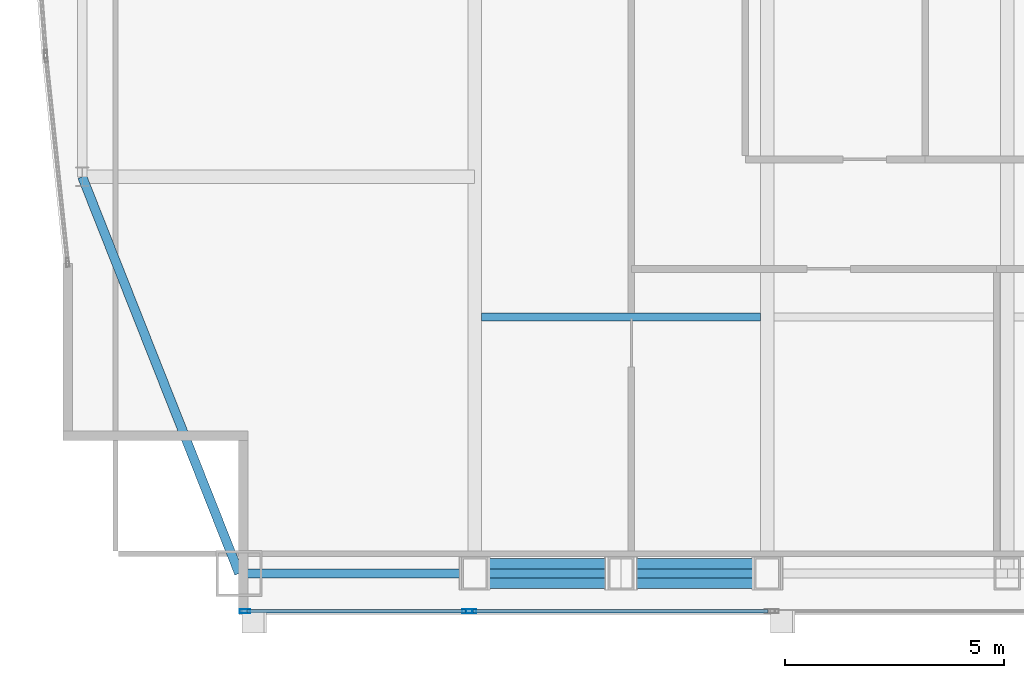
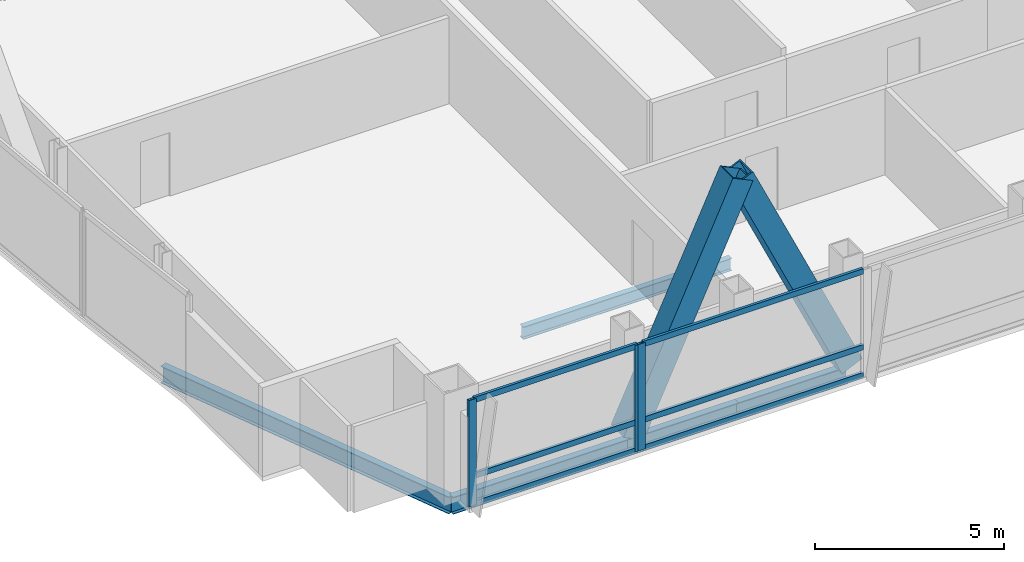
# One storey, part 5 of 30: 11 members, 5 beams, 2 elements without a shape of their own.
"""IFC4 building model written with IfcOpenShell, lengths in metres."""

import ifcopenshell
import ifcopenshell.guid

model = None  # the IFC model being written
_history = None  # IfcOwnerHistory: only IFC2X3 demands one
_inside = {}  # id of a spatial element -> (the spatial element, [elements in it])
_under = {}  # id of a project, library or spatial element -> (it, [spatial elements below it])
_declared = {}  # id of a project -> (the project, [libraries it declares])
_typed = {}  # id of a type object -> (the type object, [elements of that type])
_made_of = {}  # id of a material, layer set ... -> (it, [elements and type objects made of it])


def new_model(schema):
    """Start an empty IFC model of exactly this schema.

    Asked for "IFC4X3", IfcOpenShell would pick the latest addendum, in which some entities
    have other attributes; the version numbers below select the first issue.
    IFC2X3 requires an IfcOwnerHistory on every rooted entity: one is made here for all.
    """
    global model, _history
    if schema == "IFC4X3":
        model = ifcopenshell.file(schema_version=(4, 3, 0, 0))
    else:
        model = ifcopenshell.file(schema=schema)
    _inside.clear()
    _under.clear()
    _declared.clear()
    _typed.clear()
    _made_of.clear()
    _history = None
    if model.schema == "IFC2X3":
        org = make("IfcOrganization", Name="unknown")
        user = make(
            "IfcPersonAndOrganization",
            ThePerson=make("IfcPerson", FamilyName="unknown"),
            TheOrganization=org,
        )
        app = make(
            "IfcApplication",
            ApplicationDeveloper=org,
            Version="unknown",
            ApplicationFullName="unknown",
            ApplicationIdentifier="unknown",
        )
        _history = make(
            "IfcOwnerHistory",
            OwningUser=user,
            OwningApplication=app,
            ChangeAction="ADDED",
            CreationDate=0,
        )
    return model


def make(cls, **values):
    """One entity of the class cls with the attributes given. An attribute that is None is left unset."""
    return model.create_entity(
        cls, **{name: value for name, value in values.items() if value is not None}
    )


def rooted(cls, **values):
    """An entity with a GlobalId (a new one), such as an element, a storey or a relation."""
    return make(cls, GlobalId=ifcopenshell.guid.new(), OwnerHistory=_history, **values)


def si_unit(unit_type, name, prefix=None):
    """IfcSIUnit, for example si_unit("LENGTHUNIT", "METRE", prefix="MILLI")."""
    return make("IfcSIUnit", UnitType=unit_type, Prefix=prefix, Name=name)


def assignment(units):
    """IfcUnitAssignment: the units of a project."""
    return None if units is None else make("IfcUnitAssignment", Units=units)


def point(xyz):
    """IfcCartesianPoint."""
    return None if xyz is None else make("IfcCartesianPoint", Coordinates=xyz)


def direction(xyz):
    """IfcDirection."""
    return None if xyz is None else make("IfcDirection", DirectionRatios=xyz)


def frame(location, z_axis=None, x_axis=None):
    """IfcAxis2Placement3D, a coordinate frame: its origin and axes. An axis left out is left unset."""
    return make(
        "IfcAxis2Placement3D",
        Location=point(location),
        Axis=direction(z_axis),
        RefDirection=direction(x_axis),
    )


def frame_2d(location, x_axis=None):
    """IfcAxis2Placement2D, a coordinate frame in the plane: its origin and x axis."""
    return make(
        "IfcAxis2Placement2D", Location=point(location), RefDirection=direction(x_axis)
    )


def origin():
    """The frame at (0, 0, 0) with its axes left unset."""
    return frame((0.0, 0.0, 0.0))


def origin_2d():
    """The frame at (0, 0) in the plane with its x axis left unset."""
    return frame_2d((0.0, 0.0))


def place(relative_to, where):
    """IfcLocalPlacement: puts the frame where relative to a parent placement (None: the world)."""
    return make(
        "IfcLocalPlacement", PlacementRelTo=relative_to, RelativePlacement=where
    )


def context(
    kind, dimensions, precision=None, world=None, true_north=None, identifier=None
):
    """IfcGeometricRepresentationContext, for example the 3D "Model" context."""
    return make(
        "IfcGeometricRepresentationContext",
        ContextIdentifier=identifier,
        ContextType=kind,
        CoordinateSpaceDimension=dimensions,
        Precision=precision,
        WorldCoordinateSystem=world,
        TrueNorth=true_north,
    )


def subcontext(parent, identifier, kind, view, scale=None):
    """IfcGeometricRepresentationSubContext, for example "Body" below "Model"."""
    return make(
        "IfcGeometricRepresentationSubContext",
        ContextIdentifier=identifier,
        ContextType=kind,
        ParentContext=parent,
        TargetScale=scale,
        TargetView=view,
    )


def project(units=None, contexts=None):
    """IfcProject with its units and contexts."""
    return rooted(
        "IfcProject",
        Name="project",
        RepresentationContexts=contexts,
        UnitsInContext=assignment(units),
    )


def spatial(cls, under=None, at=None, **own):
    """A site, building, storey or space (cls), placed at a placement, below another one or the project."""
    s = rooted(cls, ObjectPlacement=at, **own)
    if under is not None:
        _under.setdefault(under.id(), (under, []))[1].append(s)
    return s


def profile(cls, at=None, kind="AREA", **sizes):
    """A parametric profile (cls). Its sizes go by their IFC names, for example OverallWidth=200.0."""
    return make(cls, ProfileType=kind, Position=at, **sizes)


def hollow_rectangle(**sizes):
    """IfcRectangleHollowProfileDef."""
    return profile("IfcRectangleHollowProfileDef", **sizes)


def i_section(**sizes):
    """IfcIShapeProfileDef."""
    return profile("IfcIShapeProfileDef", **sizes)


def extrude(swept, where, along, depth):
    """IfcExtrudedAreaSolid: the profile swept, set in the frame where, extruded along a direction by depth."""
    return make(
        "IfcExtrudedAreaSolid",
        SweptArea=swept,
        Position=where,
        ExtrudedDirection=direction(along),
        Depth=depth,
    )


def shape(context_of_items, identifier, shape_type, items):
    """IfcShapeRepresentation: the items that make up one representation, for example the "Body"."""
    return make(
        "IfcShapeRepresentation",
        ContextOfItems=context_of_items,
        RepresentationIdentifier=identifier,
        RepresentationType=shape_type,
        Items=items,
    )


def material(Name=None, Category=None):
    """IfcMaterial."""
    return make("IfcMaterial", Name=Name, Category=Category)


def material_profile(
    of_material, cross_section, Name=None, Category=None, Priority=None
):
    """IfcMaterialProfile: a cross section and its material."""
    return make(
        "IfcMaterialProfile",
        Name=Name,
        Material=of_material,
        Profile=cross_section,
        Priority=Priority,
        Category=Category,
    )


def profile_set(profiles, Name=None, composite=None):
    """IfcMaterialProfileSet."""
    return make(
        "IfcMaterialProfileSet",
        Name=Name,
        MaterialProfiles=profiles,
        CompositeProfile=composite,
    )


def made_of(thing, what):
    """Note that an element or type object is made of a material, layer set ...; save() writes the relation."""
    if what is not None:
        _made_of.setdefault(what.id(), (what, []))[1].append(thing)
    return thing


def type_object(cls, material=None, **own):
    """A type object (cls), such as IfcWallType, which elements share."""
    return made_of(rooted(cls, **own), material)


def element(
    cls,
    number,
    at=None,
    inside=None,
    cuts=None,
    type_object=None,
    material=None,
    context=None,
    identifier="Body",
    shape_type=None,
    held_by="IfcProductDefinitionShape",
    body=None,
    shapes=None,
    **own,
):
    """One element of the class cls, such as IfcWall. Its Tag is "e" and its number.

    at: its placement. inside: the storey or other place that contains it. cuts: it is an
    opening in that element (IfcRelVoidsElement). A single representation is given by context,
    identifier, shape_type and body (its items); several are given by shapes. held_by: the class
    of the entity that holds the representations. save() writes the other relations.
    """
    e = rooted(cls, Tag="e%d" % number, ObjectPlacement=at, **own)
    if body is not None:
        shapes = [shape(context, identifier, shape_type, body)]
    if shapes is not None:
        e.Representation = make(held_by, Representations=shapes)
    if inside is not None:
        _inside.setdefault(inside.id(), (inside, []))[1].append(e)
    if cuts is not None:
        rooted(
            "IfcRelVoidsElement", RelatingBuildingElement=cuts, RelatedOpeningElement=e
        )
    if type_object is not None:
        _typed.setdefault(type_object.id(), (type_object, []))[1].append(e)
    return made_of(e, material)


def aggregate(whole, parts):
    """IfcRelAggregates: a whole, such as a stair, and the parts it consists of."""
    return rooted("IfcRelAggregates", RelatingObject=whole, RelatedObjects=parts)


def save(model, path):
    """Write the relations noted so far, then the file.

    IfcRelAggregates (storeys below a building ...), IfcRelContainedInSpatialStructure (elements
    in a storey), IfcRelDefinesByType, IfcRelAssociatesMaterial and IfcRelDeclares: one each for
    every whole, place, type object, material and project.
    """
    for whole, parts in _under.values():
        aggregate(whole, parts)
    for where, things in _inside.values():
        rooted(
            "IfcRelContainedInSpatialStructure",
            RelatedElements=things,
            RelatingStructure=where,
        )
    for kind, things in _typed.values():
        rooted("IfcRelDefinesByType", RelatedObjects=things, RelatingType=kind)
    for what, things in _made_of.values():
        rooted("IfcRelAssociatesMaterial", RelatedObjects=things, RelatingMaterial=what)
    for by, libraries in _declared.values():
        rooted("IfcRelDeclares", RelatingContext=by, RelatedDefinitions=libraries)
    model.write(path)


model = new_model("IFC4")

# Units and contexts
model_context = context("Model", 3, precision=1e-05, world=origin(), true_north=direction((0.0, 1.0)))
body_context = subcontext(model_context, "Body", "Model", "MODEL_VIEW")
ifc_project = project(units=[si_unit("LENGTHUNIT", "METRE"), si_unit("AREAUNIT", "SQUARE_METRE"), si_unit("VOLUMEUNIT", "CUBIC_METRE"), si_unit("PLANEANGLEUNIT", "RADIAN"), si_unit("MASSUNIT", "GRAM", prefix="KILO")], contexts=[model_context])

# Site, building, storey
site_placement = place(None, origin())
site = spatial("IfcSite", under=ifc_project, at=site_placement, CompositionType="ELEMENT")
building_placement = place(site_placement, origin())
building = spatial("IfcBuilding", under=site, at=building_placement, Name="Khoronbel Lancet Exchange", CompositionType="ELEMENT")
storey_placement = place(building_placement, frame((0.0, 0.0, 284.199951171875)))
storey = spatial("IfcBuildingStorey", under=building, at=storey_placement, Name="L73", CompositionType="ELEMENT", Elevation=284.199951171875)

# Beams
ifc_material_1 = material(Name="Steel S355", Category="steel")
ifc_material_profile_1 = material_profile(ifc_material_1, i_section(OverallWidth=0.179931640625, OverallDepth=0.39990234375, WebThickness=0.008544921875, FlangeThickness=0.013427734375, at=origin_2d()), Name="IPE 400")
ifc_profile_set_1 = profile_set([ifc_material_profile_1], Name="Steel S355")
beam_type_1 = type_object("IfcBeamType", Name="BM-BJ5", PredefinedType="JOIST", material=ifc_profile_set_1)
beam_1_placement = place(storey_placement, frame((18.375, 16.0, -0.35986328125), z_axis=(1.0, 0.0, 0.0), x_axis=(0.0, 1.0, 0.0)))
element("IfcBeam", 1, at=beam_1_placement, inside=storey, type_object=beam_type_1, Name="Level L73 secondary composite joist J01", PredefinedType="JOIST", context=body_context, shape_type="SweptSolid", body=[
    extrude(i_section(OverallWidth=0.179931640625, OverallDepth=0.39990234375, WebThickness=0.008544921875, FlangeThickness=0.013427734375, at=origin_2d()), origin(), (0.0, 0.0, 1.0), 6.375),
])
ifc_material_profile_2 = material_profile(ifc_material_1, i_section(OverallWidth=0.2099609375, OverallDepth=0.550048828125, WebThickness=0.010986328125, FlangeThickness=0.01708984375, at=origin_2d()), Name="IPE 550")
ifc_profile_set_2 = profile_set([ifc_material_profile_2], Name="Steel S355")
beam_type_2 = type_object("IfcBeamType", Name="BM-BSP3", PredefinedType="SPANDREL", material=ifc_profile_set_2)
beam_2_placement = place(storey_placement, frame((12.85009765625, 10.14990234375, -0.43505859375), z_axis=(1.0, 0.0, 0.0), x_axis=(0.0, 1.0, 0.0)))
element("IfcBeam", 2, at=beam_2_placement, inside=storey, type_object=beam_type_2, Name="Level L73 perimeter spandrel beam SP01", PredefinedType="SPANDREL", context=body_context, shape_type="SweptSolid", body=[
    extrude(i_section(OverallWidth=0.2099609375, OverallDepth=0.550048828125, WebThickness=0.010986328125, FlangeThickness=0.01708984375, at=origin_2d()), origin(), (0.0, 0.0, 1.0), 5.375),
])
for number, where, z_axis, x_axis, name in (
    (3, (18.22509765625, 10.14990234375, -0.43505859375), (1.0, 0.0, 0.0), (0.0, 1.0, 0.0), "Level L73 perimeter spandrel beam SP02"),
    (4, (21.5625, 10.14990234375, -0.43505859375), (1.0, 0.0, 0.0), (0.0, 1.0, 0.0), "Level L73 perimeter spandrel beam SP03"),
):
    element("IfcBeam", number, at=place(storey_placement, frame(where, z_axis=z_axis, x_axis=x_axis)), inside=storey, type_object=beam_type_2, Name=name, PredefinedType="SPANDREL", context=body_context, shape_type="SweptSolid", body=[
        extrude(i_section(OverallWidth=0.2099609375, OverallDepth=0.550048828125, WebThickness=0.010986328125, FlangeThickness=0.01708984375, at=origin_2d()), origin(), (0.0, 0.0, 1.0), 3.33740234375),
    ])
beam_3_placement = place(storey_placement, frame((9.27001953125, 19.199951171875, -0.43505859375), z_axis=(0.367850095026, -0.92988510451, 0.0), x_axis=(0.92988510451, 0.367850095026, 0.0)))
element("IfcBeam", 5, at=beam_3_placement, inside=storey, type_object=beam_type_2, Name="Level L73 perimeter spandrel beam SP21", PredefinedType="SPANDREL", context=body_context, shape_type="SweptSolid", body=[
    extrude(i_section(OverallWidth=0.2099609375, OverallDepth=0.550048828125, WebThickness=0.010986328125, FlangeThickness=0.01708984375, at=origin_2d()), origin(), (0.0, 0.0, 1.0), 9.732421875),
])

# Curtain wall, members
ifc_material_2 = material(Name="Low-E Solar Control Insulating Glass", Category="glass")
curtain_wall_type = type_object("IfcCurtainWallType", Name="CW-3", PredefinedType="NOTDEFINED", material=ifc_material_2)
curtain_wall_1_placement = place(storey_placement, origin())
curtain_wall_1 = element("IfcCurtainWall", 6, at=curtain_wall_1_placement, inside=storey, type_object=curtain_wall_type, Name="Unitised curtain wall CW-L73-SWV", PredefinedType="NOTDEFINED")
ifc_material_3 = material(Name="Bronze-Anodised Aluminium 6063-T6", Category="aluminium")
ifc_material_profile_3 = material_profile(ifc_material_3, hollow_rectangle(XDim=0.0849609375, YDim=0.239990234375, WallThickness=0.006103515625, at=origin_2d()), Name="ALU MULLION 85x240")
ifc_profile_set_3 = profile_set([ifc_material_profile_3], Name="Bronze-Anodised Aluminium 6063-T6")
member_type_1 = type_object("IfcMemberType", Name="MEM-CWM1", PredefinedType="MULLION", material=ifc_profile_set_3)
member_1_placement = place(storey_placement, frame((12.982421875, 9.2900390625, 0.0), z_axis=(0.0, 0.0, 1.0), x_axis=(0.0, 1.0, 0.0)))
member_1 = element("IfcMember", 7, at=member_1_placement, type_object=member_type_1, Name="CW3 mullion 1", PredefinedType="MULLION", context=body_context, shape_type="SweptSolid", body=[
    extrude(hollow_rectangle(XDim=0.0849609375, YDim=0.239990234375, WallThickness=0.006103515625, at=origin_2d()), origin(), (0.0, 0.0, 1.0), 3.43994140625),
])
member_2_placement = place(storey_placement, frame((18.0576171875, 9.2900390625, 0.0), z_axis=(0.0, 0.0, 1.0), x_axis=(0.0, 1.0, 0.0)))
member_2 = element("IfcMember", 8, at=member_2_placement, type_object=member_type_1, Name="CW3 mullion 2", PredefinedType="MULLION", context=body_context, shape_type="SweptSolid", body=[
    extrude(hollow_rectangle(XDim=0.0849609375, YDim=0.239990234375, WallThickness=0.006103515625, at=origin_2d()), origin(), (0.0, 0.0, 1.0), 3.43994140625),
])

# Curtain wall, member
curtain_wall_2_placement = place(storey_placement, origin())
curtain_wall_2 = element("IfcCurtainWall", 9, at=curtain_wall_2_placement, inside=storey, type_object=curtain_wall_type, Name="Unitised curtain wall CW-L73-SWB", PredefinedType="NOTDEFINED")
member_3_placement = place(storey_placement, frame((18.142578125, 9.2900390625, 0.0), z_axis=(0.0, 0.0, 1.0), x_axis=(0.0, 1.0, 0.0)))
member_3 = element("IfcMember", 10, at=member_3_placement, type_object=member_type_1, Name="CW3 mullion 1", PredefinedType="MULLION", context=body_context, shape_type="SweptSolid", body=[
    extrude(hollow_rectangle(XDim=0.0849609375, YDim=0.239990234375, WallThickness=0.006103515625, at=origin_2d()), origin(), (0.0, 0.0, 1.0), 3.43994140625),
])

# Member
ifc_material_profile_4 = material_profile(ifc_material_3, hollow_rectangle(XDim=0.0849609375, YDim=0.179931640625, WallThickness=0.0048828125, at=origin_2d()), Name="ALU TRANSOM 85x180")
ifc_profile_set_4 = profile_set([ifc_material_profile_4], Name="Bronze-Anodised Aluminium 6063-T6")
member_type_2 = type_object("IfcMemberType", Name="MEM-CWT1", PredefinedType="USERDEFINED", material=ifc_profile_set_4)
member_4_placement = place(storey_placement, frame((13.02490234375, 9.2900390625, 0.04248046875), z_axis=(1.0, 0.0, 0.0), x_axis=(0.0, 1.0, 0.0)))
member_4 = element("IfcMember", 11, at=member_4_placement, type_object=member_type_2, Name="CW3 transom 1.1", ObjectType="TRANSOM", PredefinedType="USERDEFINED", context=body_context, shape_type="SweptSolid", body=[
    extrude(hollow_rectangle(XDim=0.0849609375, YDim=0.179931640625, WallThickness=0.0048828125, at=origin_2d()), origin(), (0.0, 0.0, 1.0), 4.989990234375),
])

member_5_placement = place(storey_placement, frame((13.02490234375, 9.2900390625, 0.949951171875), z_axis=(1.0, 0.0, 0.0), x_axis=(0.0, 1.0, 0.0)))
member_5 = element("IfcMember", 12, at=member_5_placement, type_object=member_type_2, Name="CW3 transom 1.2", ObjectType="TRANSOM", PredefinedType="USERDEFINED", context=body_context, shape_type="SweptSolid", body=[
    extrude(hollow_rectangle(XDim=0.0849609375, YDim=0.179931640625, WallThickness=0.0048828125, at=origin_2d()), origin(), (0.0, 0.0, 1.0), 4.989990234375),
])

member_6_placement = place(storey_placement, frame((13.02490234375, 9.2900390625, 3.3974609375), z_axis=(1.0, 0.0, 0.0), x_axis=(0.0, 1.0, 0.0)))
member_6 = element("IfcMember", 13, at=member_6_placement, type_object=member_type_2, Name="CW3 transom 1.3", ObjectType="TRANSOM", PredefinedType="USERDEFINED", context=body_context, shape_type="SweptSolid", body=[
    extrude(hollow_rectangle(XDim=0.0849609375, YDim=0.179931640625, WallThickness=0.0048828125, at=origin_2d()), origin(), (0.0, 0.0, 1.0), 4.989990234375),
])

aggregate(curtain_wall_1, [member_1, member_2, member_4, member_5, member_6])

member_7_placement = place(storey_placement, frame((18.18505859375, 9.2900390625, 0.04248046875), z_axis=(1.0, 0.0, 0.0), x_axis=(0.0, 1.0, 0.0)))
member_7 = element("IfcMember", 14, at=member_7_placement, type_object=member_type_2, Name="CW3 transom 1.1", ObjectType="TRANSOM", PredefinedType="USERDEFINED", context=body_context, shape_type="SweptSolid", body=[
    extrude(hollow_rectangle(XDim=0.0849609375, YDim=0.179931640625, WallThickness=0.0048828125, at=origin_2d()), origin(), (0.0, 0.0, 1.0), 6.72998046875),
])

member_8_placement = place(storey_placement, frame((18.18505859375, 9.2900390625, 0.949951171875), z_axis=(1.0, 0.0, 0.0), x_axis=(0.0, 1.0, 0.0)))
member_8 = element("IfcMember", 15, at=member_8_placement, type_object=member_type_2, Name="CW3 transom 1.2", ObjectType="TRANSOM", PredefinedType="USERDEFINED", context=body_context, shape_type="SweptSolid", body=[
    extrude(hollow_rectangle(XDim=0.0849609375, YDim=0.179931640625, WallThickness=0.0048828125, at=origin_2d()), origin(), (0.0, 0.0, 1.0), 6.72998046875),
])

member_9_placement = place(storey_placement, frame((18.18505859375, 9.2900390625, 3.3974609375), z_axis=(1.0, 0.0, 0.0), x_axis=(0.0, 1.0, 0.0)))
member_9 = element("IfcMember", 16, at=member_9_placement, type_object=member_type_2, Name="CW3 transom 1.3", ObjectType="TRANSOM", PredefinedType="USERDEFINED", context=body_context, shape_type="SweptSolid", body=[
    extrude(hollow_rectangle(XDim=0.0849609375, YDim=0.179931640625, WallThickness=0.0048828125, at=origin_2d()), origin(), (0.0, 0.0, 1.0), 6.72998046875),
])

aggregate(curtain_wall_2, [member_3, member_7, member_8, member_9])

# Members
ifc_material_4 = material(Name="Steel S460", Category="steel")
ifc_material_profile_5 = material_profile(ifc_material_4, hollow_rectangle(XDim=0.679931640625, YDim=0.679931640625, WallThickness=0.044921875, at=origin_2d()), Name="BOX 680x680x45")
ifc_profile_set_5 = profile_set([ifc_material_profile_5], Name="Steel S460")
member_type_3 = type_object("IfcMemberType", Name="MEM-MB3", PredefinedType="BRACE", material=ifc_profile_set_5)
for number, where, z_axis, x_axis, name in (
    (17, (18.22509765625, 10.14990234375, 0.0), (0.420548106082, 0.0, 0.907270241147), (0.0, 1.0, 0.0), "Perimeter lancet brace tier 25 S-W-L"),
    (18, (24.89990234375, 10.14990234375, 0.0), (-0.420548106082, 0.0, 0.907270241147), (0.0, -1.0, 0.0), "Perimeter lancet brace tier 25 S-W-R"),
):
    element("IfcMember", number, at=place(storey_placement, frame(where, z_axis=z_axis, x_axis=x_axis)), inside=storey, type_object=member_type_3, Name=name, PredefinedType="BRACE", context=body_context, shape_type="SweptSolid", body=[
        extrude(hollow_rectangle(XDim=0.679931640625, YDim=0.679931640625, WallThickness=0.044921875, at=origin_2d()), origin(), (0.0, 0.0, 1.0), 7.935791015625),
    ])

save(model, "model.ifc")
